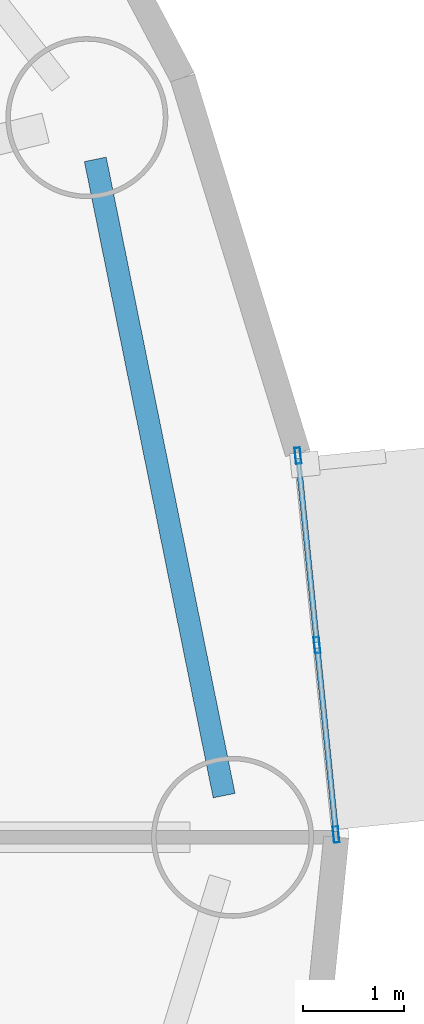
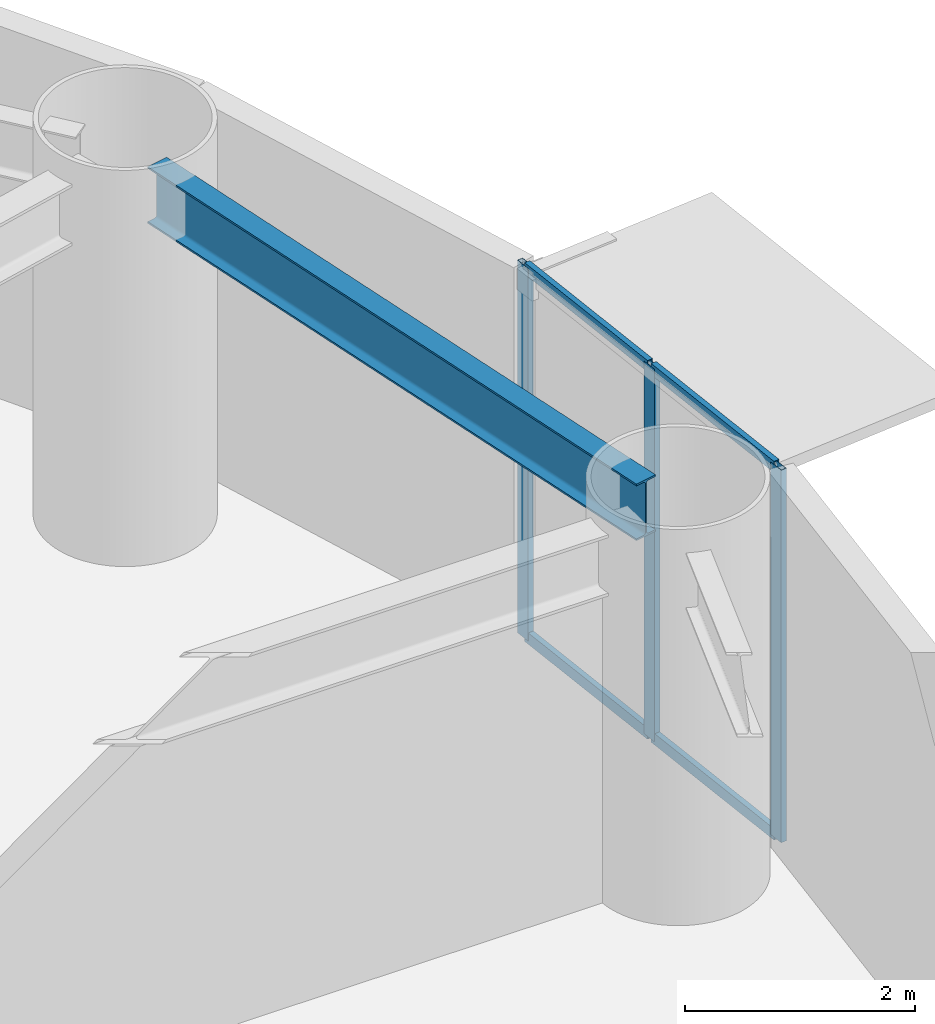
# One storey, part 9 of 28: 7 members, 1 beam, 1 element without a shape of its own.
"""IFC4 building model written with IfcOpenShell, lengths in metres."""

from ifc_helpers import new_model, si_unit, direction, frame, origin, origin_2d, place, context, subcontext, project, spatial, hollow_rectangle, i_section, extrude, source, transform, mapped, material, layer, layer_set, material_profile, profile_set, type_object, element, aggregate, save


model = new_model("IFC4")

# Units and contexts
model_context = context("Model", 3, precision=1e-05, world=origin(), true_north=direction((0.0, 1.0)))
body_context = subcontext(model_context, "Body", "Model", "MODEL_VIEW")
ifc_project = project(units=[si_unit("LENGTHUNIT", "METRE"), si_unit("AREAUNIT", "SQUARE_METRE"), si_unit("VOLUMEUNIT", "CUBIC_METRE"), si_unit("PLANEANGLEUNIT", "RADIAN"), si_unit("MASSUNIT", "GRAM", prefix="KILO")], contexts=[model_context])

# Site, building, storey
site_placement = place(None, origin())
site = spatial("IfcSite", under=ifc_project, at=site_placement, CompositionType="ELEMENT")
building_placement = place(site_placement, origin())
building = spatial("IfcBuilding", under=site, at=building_placement, Name="Linh Dai School and Residence Tower", CompositionType="ELEMENT")
storey_placement = place(building_placement, frame((0.0, 0.0, 57.60009765625)))
storey = spatial("IfcBuildingStorey", under=building, at=storey_placement, Name="L13", CompositionType="ELEMENT", Elevation=57.60009765625)

# Beam
ifc_material_1 = material(Name="Structural Steel S355JR", Category="steel")
ifc_material_profile_1 = material_profile(ifc_material_1, i_section(OverallWidth=0.219970703125, OverallDepth=0.60009765625, WebThickness=0.011962890625, FlangeThickness=0.01904296875, FilletRadius=0.02392578125, at=origin_2d()), Name="IPE 600")
ifc_profile_set_1 = profile_set([ifc_material_profile_1], Name="Structural Steel S355JR")
beam_type = type_object("IfcBeamType", Name="BM-RB60", PredefinedType="BEAM", material=ifc_profile_set_1)
beam_placement = place(storey_placement, frame((65.966552734375, 27.41162109375, 3.64990234375), z_axis=(-0.198429171022, 0.980115230005, 0.0), x_axis=(-0.980115230005, -0.198429171022, 0.0)))
element("IfcBeam", 1, at=beam_placement, inside=storey, type_object=beam_type, Name="L13 Perimeter Elliptical Ring Beam 01", PredefinedType="BEAM", context=body_context, shape_type="SweptSolid", body=[
    extrude(i_section(OverallWidth=0.219970703125, OverallDepth=0.60009765625, WebThickness=0.011962890625, FlangeThickness=0.01904296875, FilletRadius=0.02392578125, at=origin_2d()), origin(), (0.0, 0.0, 1.0), 6.41259765625),
])

# Curtain wall, members
ifc_material_2 = material(Name="Aluminium Anodised Curtain Wall", Category="aluminium")
ifc_layer = layer(ifc_material_2, 0.159912109375)
ifc_layer_set = layer_set([ifc_layer], Name="Aluminium Anodised Curtain Wall")
curtain_wall_type = type_object("IfcCurtainWallType", Name="CW-SYS-3", PredefinedType="USERDEFINED", material=ifc_layer_set)
curtain_wall_placement = place(storey_placement, origin())
curtain_wall = element("IfcCurtainWall", 2, at=curtain_wall_placement, inside=storey, type_object=curtain_wall_type, Name="L13 CW3 Curtain Wall 01", ObjectType="RIBBON CURTAIN WALL", PredefinedType="USERDEFINED")
ifc_material_3 = material(Name="Aluminium Alloy 6063-T6", Category="aluminium")
ifc_material_profile_2 = material_profile(ifc_material_3, hollow_rectangle(XDim=0.054931640625, YDim=0.1201171875, WallThickness=0.00390625, at=origin_2d()), Name="RHS 120x55x4")
ifc_profile_set_2 = profile_set([ifc_material_profile_2], Name="Aluminium Alloy 6063-T6")
member_type_1 = type_object("IfcMemberType", Name="CW-SYS-3-TRN", PredefinedType="USERDEFINED", material=ifc_profile_set_2)
shared_shape_1 = source(origin(), body_context, "Body", "SweptSolid", [
    extrude(hollow_rectangle(XDim=0.054931640625, YDim=0.1201171875, WallThickness=0.00390625, at=origin_2d()), origin(), (0.0, 0.0, 1.0), 1.825439453125),
])
member_1_placement = place(storey_placement, frame((66.698974609375, 30.7421875, 0.02734375), z_axis=(0.099900947353, -0.994997387292, 0.0), x_axis=(0.994997387292, 0.099900947353, 0.0)))
member_1 = element("IfcMember", 3, at=member_1_placement, type_object=member_type_1, Name="CW3 transom 1.1", ObjectType="TRANSOM", PredefinedType="USERDEFINED", context=body_context, shape_type="MappedRepresentation", body=[
    mapped(shared_shape_1, transform((0.0, 0.0, 0.0), x_axis=(1.0, 0.0, 0.0), y_axis=(0.0, 1.0, 0.0), z_axis=(0.0, 0.0, 1.0), scale=1.0)),
])
member_2_placement = place(storey_placement, frame((66.698974609375, 30.7421875, 3.92236328125), z_axis=(0.099900947353, -0.994997387292, 0.0), x_axis=(0.994997387292, 0.099900947353, 0.0)))
member_2 = element("IfcMember", 4, at=member_2_placement, type_object=member_type_1, Name="CW3 transom 1.2", ObjectType="TRANSOM", PredefinedType="USERDEFINED", context=body_context, shape_type="MappedRepresentation", body=[
    mapped(shared_shape_1, transform((0.0, 0.0, 0.0), x_axis=(1.0, 0.0, 0.0), y_axis=(0.0, 1.0, 0.0), z_axis=(0.0, 0.0, 1.0), scale=1.0)),
])
shared_shape_2 = source(origin(), body_context, "Body", "SweptSolid", [
    extrude(hollow_rectangle(XDim=0.054931640625, YDim=0.1201171875, WallThickness=0.00390625, at=origin_2d()), origin(), (0.0, 0.0, 1.0), 1.82568359375),
])
member_3_placement = place(storey_placement, frame((66.886962890625, 28.87109375, 0.02734375), z_axis=(0.100033346193, -0.994984085124, 0.0), x_axis=(0.994984085124, 0.100033346193, 0.0)))
member_3 = element("IfcMember", 5, at=member_3_placement, type_object=member_type_1, Name="CW3 transom 2.1", ObjectType="TRANSOM", PredefinedType="USERDEFINED", context=body_context, shape_type="MappedRepresentation", body=[
    mapped(shared_shape_2, transform((0.0, 0.0, 0.0), x_axis=(1.0, 0.0, 0.0), y_axis=(0.0, 1.0, 0.0), z_axis=(0.0, 0.0, 1.0), scale=1.0)),
])
member_4_placement = place(storey_placement, frame((66.886962890625, 28.87109375, 3.92236328125), z_axis=(0.100033346193, -0.994984085124, 0.0), x_axis=(0.994984085124, 0.100033346193, 0.0)))
member_4 = element("IfcMember", 6, at=member_4_placement, type_object=member_type_1, Name="CW3 transom 2.2", ObjectType="TRANSOM", PredefinedType="USERDEFINED", context=body_context, shape_type="MappedRepresentation", body=[
    mapped(shared_shape_2, transform((0.0, 0.0, 0.0), x_axis=(1.0, 0.0, 0.0), y_axis=(0.0, 1.0, 0.0), z_axis=(0.0, 0.0, 1.0), scale=1.0)),
])
ifc_material_profile_3 = material_profile(ifc_material_3, hollow_rectangle(XDim=0.054931640625, YDim=0.159912109375, WallThickness=0.00390625, at=origin_2d()), Name="RHS 160x55x4")
ifc_profile_set_3 = profile_set([ifc_material_profile_3], Name="Aluminium Alloy 6063-T6")
member_type_2 = type_object("IfcMemberType", Name="CW-SYS-3-MUL", PredefinedType="MULLION", material=ifc_profile_set_3)
shared_shape_3 = source(origin(), body_context, "Body", "SweptSolid", [
    extrude(hollow_rectangle(XDim=0.054931640625, YDim=0.159912109375, WallThickness=0.00390625, at=origin_2d()), origin(), (0.0, 0.0, 1.0), 3.949951171875),
])
member_5_placement = place(storey_placement, frame((66.696044921875, 30.76953125, 0.0), z_axis=(0.0, 0.0, 1.0), x_axis=(0.994986493533, 0.100009387998, 0.0)))
member_5 = element("IfcMember", 7, at=member_5_placement, type_object=member_type_2, Name="CW3 mullion 1", PredefinedType="MULLION", context=body_context, shape_type="MappedRepresentation", body=[
    mapped(shared_shape_3, transform((0.0, 0.0, 0.0), x_axis=(1.0, 0.0, 0.0), y_axis=(0.0, 1.0, 0.0), z_axis=(0.0, 0.0, 1.0), scale=1.0)),
])
member_6_placement = place(storey_placement, frame((66.88427734375, 28.8984375, 0.0), z_axis=(0.0, 0.0, 1.0), x_axis=(0.994986493533, 0.100009387998, 0.0)))
member_6 = element("IfcMember", 8, at=member_6_placement, type_object=member_type_2, Name="CW3 mullion 2", PredefinedType="MULLION", context=body_context, shape_type="MappedRepresentation", body=[
    mapped(shared_shape_3, transform((0.0, 0.0, 0.0), x_axis=(1.0, 0.0, 0.0), y_axis=(0.0, 1.0, 0.0), z_axis=(0.0, 0.0, 1.0), scale=1.0)),
])
member_7_placement = place(storey_placement, frame((67.072265625, 27.02734375, 0.0), z_axis=(0.0, 0.0, 1.0), x_axis=(0.994986493533, 0.100009387998, 0.0)))
member_7 = element("IfcMember", 9, at=member_7_placement, type_object=member_type_2, Name="CW3 mullion 3", PredefinedType="MULLION", context=body_context, shape_type="MappedRepresentation", body=[
    mapped(shared_shape_3, transform((0.0, 0.0, 0.0), x_axis=(1.0, 0.0, 0.0), y_axis=(0.0, 1.0, 0.0), z_axis=(0.0, 0.0, 1.0), scale=1.0)),
])
aggregate(curtain_wall, [member_5, member_6, member_7, member_1, member_2, member_3, member_4])

save(model, "model.ifc")
